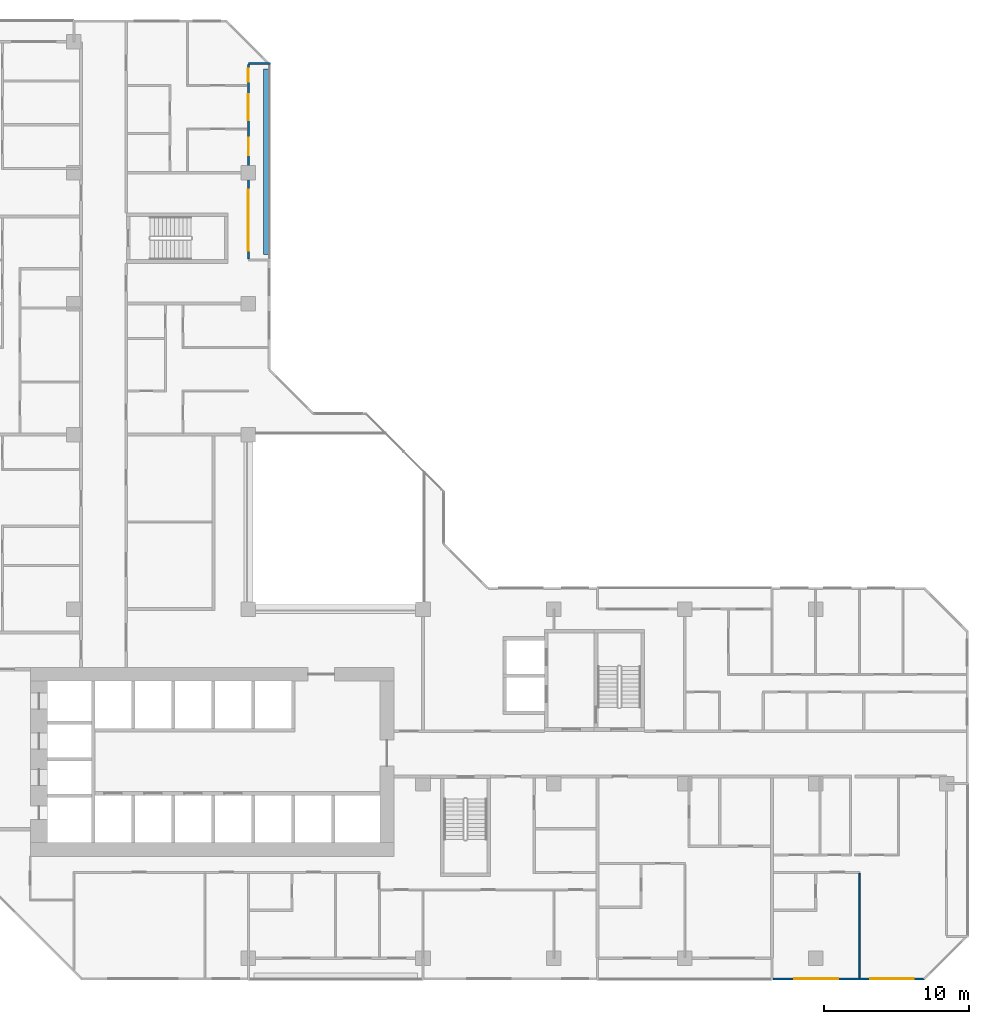
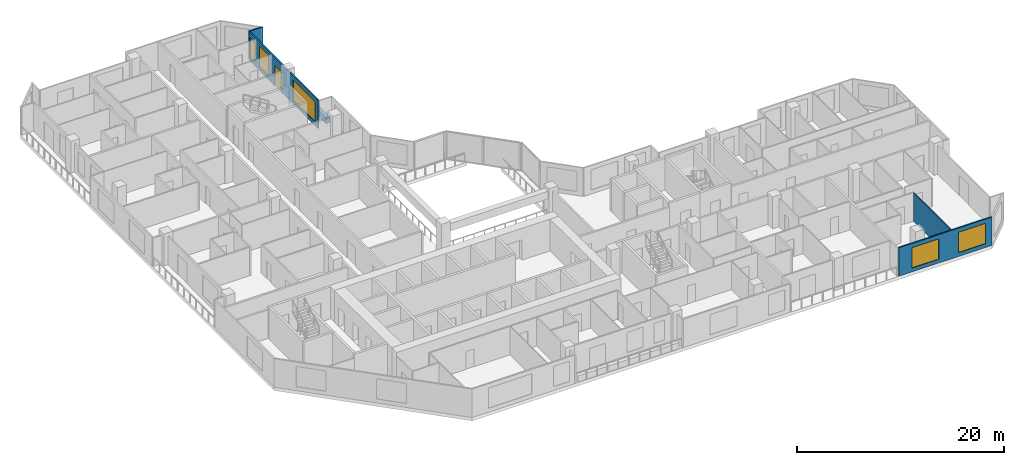
# One storey, part 11 of 15: 5 walls, 5 windows, 1 door, 6 openings.
"""IFC4 building model written with IfcOpenShell, lengths in metres."""

import ifcopenshell
import ifcopenshell.guid

model = None  # the IFC model being written
_history = None  # IfcOwnerHistory: only IFC2X3 demands one
_inside = {}  # id of a spatial element -> (the spatial element, [elements in it])
_under = {}  # id of a project, library or spatial element -> (it, [spatial elements below it])
_declared = {}  # id of a project -> (the project, [libraries it declares])
_typed = {}  # id of a type object -> (the type object, [elements of that type])
_made_of = {}  # id of a material, layer set ... -> (it, [elements and type objects made of it])


def new_model(schema):
    """Start an empty IFC model of exactly this schema.

    Asked for "IFC4X3", IfcOpenShell would pick the latest addendum, in which some entities
    have other attributes; the version numbers below select the first issue.
    IFC2X3 requires an IfcOwnerHistory on every rooted entity: one is made here for all.
    """
    global model, _history
    if schema == "IFC4X3":
        model = ifcopenshell.file(schema_version=(4, 3, 0, 0))
    else:
        model = ifcopenshell.file(schema=schema)
    _inside.clear()
    _under.clear()
    _declared.clear()
    _typed.clear()
    _made_of.clear()
    _history = None
    if model.schema == "IFC2X3":
        org = make("IfcOrganization", Name="unknown")
        user = make(
            "IfcPersonAndOrganization",
            ThePerson=make("IfcPerson", FamilyName="unknown"),
            TheOrganization=org,
        )
        app = make(
            "IfcApplication",
            ApplicationDeveloper=org,
            Version="unknown",
            ApplicationFullName="unknown",
            ApplicationIdentifier="unknown",
        )
        _history = make(
            "IfcOwnerHistory",
            OwningUser=user,
            OwningApplication=app,
            ChangeAction="ADDED",
            CreationDate=0,
        )
    return model


def make(cls, **values):
    """One entity of the class cls with the attributes given. An attribute that is None is left unset."""
    return model.create_entity(
        cls, **{name: value for name, value in values.items() if value is not None}
    )


def rooted(cls, **values):
    """An entity with a GlobalId (a new one), such as an element, a storey or a relation."""
    return make(cls, GlobalId=ifcopenshell.guid.new(), OwnerHistory=_history, **values)


def si_unit(unit_type, name, prefix=None):
    """IfcSIUnit, for example si_unit("LENGTHUNIT", "METRE", prefix="MILLI")."""
    return make("IfcSIUnit", UnitType=unit_type, Prefix=prefix, Name=name)


def assignment(units):
    """IfcUnitAssignment: the units of a project."""
    return None if units is None else make("IfcUnitAssignment", Units=units)


def point(xyz):
    """IfcCartesianPoint."""
    return None if xyz is None else make("IfcCartesianPoint", Coordinates=xyz)


def direction(xyz):
    """IfcDirection."""
    return None if xyz is None else make("IfcDirection", DirectionRatios=xyz)


def frame(location, z_axis=None, x_axis=None):
    """IfcAxis2Placement3D, a coordinate frame: its origin and axes. An axis left out is left unset."""
    return make(
        "IfcAxis2Placement3D",
        Location=point(location),
        Axis=direction(z_axis),
        RefDirection=direction(x_axis),
    )


def frame_2d(location, x_axis=None):
    """IfcAxis2Placement2D, a coordinate frame in the plane: its origin and x axis."""
    return make(
        "IfcAxis2Placement2D", Location=point(location), RefDirection=direction(x_axis)
    )


def origin():
    """The frame at (0, 0, 0) with its axes left unset."""
    return frame((0.0, 0.0, 0.0))


def place(relative_to, where):
    """IfcLocalPlacement: puts the frame where relative to a parent placement (None: the world)."""
    return make(
        "IfcLocalPlacement", PlacementRelTo=relative_to, RelativePlacement=where
    )


def context(
    kind, dimensions, precision=None, world=None, true_north=None, identifier=None
):
    """IfcGeometricRepresentationContext, for example the 3D "Model" context."""
    return make(
        "IfcGeometricRepresentationContext",
        ContextIdentifier=identifier,
        ContextType=kind,
        CoordinateSpaceDimension=dimensions,
        Precision=precision,
        WorldCoordinateSystem=world,
        TrueNorth=true_north,
    )


def subcontext(parent, identifier, kind, view, scale=None):
    """IfcGeometricRepresentationSubContext, for example "Body" below "Model"."""
    return make(
        "IfcGeometricRepresentationSubContext",
        ContextIdentifier=identifier,
        ContextType=kind,
        ParentContext=parent,
        TargetScale=scale,
        TargetView=view,
    )


def project(units=None, contexts=None):
    """IfcProject with its units and contexts."""
    return rooted(
        "IfcProject",
        Name="project",
        RepresentationContexts=contexts,
        UnitsInContext=assignment(units),
    )


def spatial(cls, under=None, at=None, **own):
    """A site, building, storey or space (cls), placed at a placement, below another one or the project."""
    s = rooted(cls, ObjectPlacement=at, **own)
    if under is not None:
        _under.setdefault(under.id(), (under, []))[1].append(s)
    return s


def profile(cls, at=None, kind="AREA", **sizes):
    """A parametric profile (cls). Its sizes go by their IFC names, for example OverallWidth=200.0."""
    return make(cls, ProfileType=kind, Position=at, **sizes)


def rectangle(**sizes):
    """IfcRectangleProfileDef."""
    return profile("IfcRectangleProfileDef", **sizes)


def extrude(swept, where, along, depth):
    """IfcExtrudedAreaSolid: the profile swept, set in the frame where, extruded along a direction by depth."""
    return make(
        "IfcExtrudedAreaSolid",
        SweptArea=swept,
        Position=where,
        ExtrudedDirection=direction(along),
        Depth=depth,
    )


def shape(context_of_items, identifier, shape_type, items):
    """IfcShapeRepresentation: the items that make up one representation, for example the "Body"."""
    return make(
        "IfcShapeRepresentation",
        ContextOfItems=context_of_items,
        RepresentationIdentifier=identifier,
        RepresentationType=shape_type,
        Items=items,
    )


def material(Name=None, Category=None):
    """IfcMaterial."""
    return make("IfcMaterial", Name=Name, Category=Category)


def layer(
    of_material, thickness, ventilated=None, Name=None, Category=None, Priority=None
):
    """IfcMaterialLayer: one layer of a wall or slab, of a material (None: an air gap)."""
    return make(
        "IfcMaterialLayer",
        Material=of_material,
        LayerThickness=thickness,
        IsVentilated=ventilated,
        Name=Name,
        Category=Category,
        Priority=Priority,
    )


def layer_set(layers, Name=None):
    """IfcMaterialLayerSet."""
    return make("IfcMaterialLayerSet", MaterialLayers=layers, LayerSetName=Name)


def made_of(thing, what):
    """Note that an element or type object is made of a material, layer set ...; save() writes the relation."""
    if what is not None:
        _made_of.setdefault(what.id(), (what, []))[1].append(thing)
    return thing


def type_object(cls, material=None, **own):
    """A type object (cls), such as IfcWallType, which elements share."""
    return made_of(rooted(cls, **own), material)


def element(
    cls,
    number,
    at=None,
    inside=None,
    cuts=None,
    type_object=None,
    material=None,
    context=None,
    identifier="Body",
    shape_type=None,
    held_by="IfcProductDefinitionShape",
    body=None,
    shapes=None,
    **own,
):
    """One element of the class cls, such as IfcWall. Its Tag is "e" and its number.

    at: its placement. inside: the storey or other place that contains it. cuts: it is an
    opening in that element (IfcRelVoidsElement). A single representation is given by context,
    identifier, shape_type and body (its items); several are given by shapes. held_by: the class
    of the entity that holds the representations. save() writes the other relations.
    """
    e = rooted(cls, Tag="e%d" % number, ObjectPlacement=at, **own)
    if body is not None:
        shapes = [shape(context, identifier, shape_type, body)]
    if shapes is not None:
        e.Representation = make(held_by, Representations=shapes)
    if inside is not None:
        _inside.setdefault(inside.id(), (inside, []))[1].append(e)
    if cuts is not None:
        rooted(
            "IfcRelVoidsElement", RelatingBuildingElement=cuts, RelatedOpeningElement=e
        )
    if type_object is not None:
        _typed.setdefault(type_object.id(), (type_object, []))[1].append(e)
    return made_of(e, material)


def fill(opening, filler):
    """IfcRelFillsElement: the door or window that sits in an opening."""
    return rooted(
        "IfcRelFillsElement",
        RelatingOpeningElement=opening,
        RelatedBuildingElement=filler,
    )


def aggregate(whole, parts):
    """IfcRelAggregates: a whole, such as a stair, and the parts it consists of."""
    return rooted("IfcRelAggregates", RelatingObject=whole, RelatedObjects=parts)


def save(model, path):
    """Write the relations noted so far, then the file.

    IfcRelAggregates (storeys below a building ...), IfcRelContainedInSpatialStructure (elements
    in a storey), IfcRelDefinesByType, IfcRelAssociatesMaterial and IfcRelDeclares: one each for
    every whole, place, type object, material and project.
    """
    for whole, parts in _under.values():
        aggregate(whole, parts)
    for where, things in _inside.values():
        rooted(
            "IfcRelContainedInSpatialStructure",
            RelatedElements=things,
            RelatingStructure=where,
        )
    for kind, things in _typed.values():
        rooted("IfcRelDefinesByType", RelatedObjects=things, RelatingType=kind)
    for what, things in _made_of.values():
        rooted("IfcRelAssociatesMaterial", RelatedObjects=things, RelatingMaterial=what)
    for by, libraries in _declared.values():
        rooted("IfcRelDeclares", RelatingContext=by, RelatedDefinitions=libraries)
    model.write(path)


model = new_model("IFC4")

# Units and contexts
model_context = context("Model", 3, precision=1e-05, world=origin(), true_north=direction((0.0, 1.0)))
body_context = subcontext(model_context, "Body", "Model", "MODEL_VIEW")
ifc_project = project(units=[si_unit("LENGTHUNIT", "METRE"), si_unit("AREAUNIT", "SQUARE_METRE"), si_unit("VOLUMEUNIT", "CUBIC_METRE"), si_unit("PLANEANGLEUNIT", "RADIAN"), si_unit("MASSUNIT", "GRAM", prefix="KILO")], contexts=[model_context])

# Site, building, storey
site_placement = place(None, origin())
site = spatial("IfcSite", under=ifc_project, at=site_placement, CompositionType="ELEMENT")
building_placement = place(site_placement, origin())
building = spatial("IfcBuilding", under=site, at=building_placement, Name="Chenar Terraces", CompositionType="ELEMENT")
storey_placement = place(building_placement, frame((0.0, 0.0, 95.64990234375)))
storey = spatial("IfcBuildingStorey", under=building, at=storey_placement, Name="L21", CompositionType="ELEMENT", Elevation=95.64990234375)

# Wall, openings, windows
ifc_material_1 = material(Name="Aluminium framed glazing", Category="aluminium")
ifc_layer_1 = layer(ifc_material_1, 0.14990234375)
ifc_layer_set_1 = layer_set([ifc_layer_1], Name="Aluminium framed glazing")
wall_type_1 = type_object("IfcWallType", Name="Glazed flush facade wall 150", PredefinedType="SOLIDWALL", material=ifc_layer_set_1)
wall_1_placement = place(storey_placement, frame((60.074951171875, -1.425048828125, 0.0), z_axis=(0.0, 0.0, 1.0), x_axis=(1.0, 0.0, 0.0)))
wall_1 = element("IfcWall", 1, at=wall_1_placement, inside=storey, type_object=wall_type_1, Name="Glazed flush facade wall", PredefinedType="SOLIDWALL", context=body_context, shape_type="SweptSolid", body=[
    extrude(rectangle(XDim=10.425048828125, YDim=0.14990234375, at=frame_2d((5.21240234375, 0.0))), origin(), (0.0, 0.0, 1.0), 3.35009765625),
])
opening_1_placement = place(wall_1_placement, frame((1.46240234375, 0.0, 0.449951171875)))
opening_1 = element("IfcOpeningElement", 2, at=opening_1_placement, cuts=wall_1, Name="Opening W300x240", PredefinedType="OPENING", context=body_context, shape_type="SweptSolid", body=[
    extrude(rectangle(XDim=3.0, YDim=2.39990234375, at=frame_2d((1.5, 1.199951171875))), frame((0.0, 0.0849609375, 0.0), z_axis=(0.0, -1.0, 0.0), x_axis=(1.0, 0.0, 0.0)), (0.0, 0.0, 1.0), 0.169921875),
])
opening_2_placement = place(wall_1_placement, frame((6.675048828125, 0.0, 0.449951171875)))
opening_2 = element("IfcOpeningElement", 3, at=opening_2_placement, cuts=wall_1, Name="Opening W300x240", PredefinedType="OPENING", context=body_context, shape_type="SweptSolid", body=[
    extrude(rectangle(XDim=3.0, YDim=2.39990234375, at=frame_2d((1.5, 1.199951171875))), frame((0.0, 0.0849609375, 0.0), z_axis=(0.0, -1.0, 0.0), x_axis=(1.0, 0.0, 0.0)), (0.0, 0.0, 1.0), 0.169921875),
])
ifc_material_2 = material(Name="Low emissivity double glazing, aluminium frame", Category="aluminium")
window_type_1 = type_object("IfcWindowType", Name="Fixed light 3000 x 2400", PartitioningType="SINGLE_PANEL", PredefinedType="WINDOW", material=ifc_material_2)
window_1_placement = place(opening_1_placement, origin())
window_1 = element("IfcWindow", 4, at=window_1_placement, inside=storey, type_object=window_type_1, Name="Window", OverallHeight=2.39990234375, OverallWidth=3.0, PartitioningType="SINGLE_PANEL", PredefinedType="WINDOW", context=body_context, shape_type="SweptSolid", body=[
    extrude(rectangle(XDim=3.0, YDim=2.39990234375, at=frame_2d((1.5, 1.199951171875))), frame((0.0, 0.030029296875, 0.0), z_axis=(0.0, -1.0, 0.0), x_axis=(1.0, 0.0, 0.0)), (0.0, 0.0, 1.0), 0.06005859375),
])
fill(opening_1, window_1)
window_2_placement = place(opening_2_placement, origin())
window_2 = element("IfcWindow", 5, at=window_2_placement, inside=storey, type_object=window_type_1, Name="Window", OverallHeight=2.39990234375, OverallWidth=3.0, PartitioningType="SINGLE_PANEL", PredefinedType="WINDOW", context=body_context, shape_type="SweptSolid", body=[
    extrude(rectangle(XDim=3.0, YDim=2.39990234375, at=frame_2d((1.5, 1.199951171875))), frame((0.0, 0.030029296875, 0.0), z_axis=(0.0, -1.0, 0.0), x_axis=(1.0, 0.0, 0.0)), (0.0, 0.0, 1.0), 0.06005859375),
])
fill(opening_2, window_2)

# Wall, openings, windows, door
ifc_material_3 = material(Name="Aluminium framed glazing", Category="aluminium")
ifc_layer_2 = layer(ifc_material_3, 0.14990234375)
ifc_layer_set_2 = layer_set([ifc_layer_2], Name="Aluminium framed glazing")
wall_type_2 = type_object("IfcWallType", Name="Glazed loggia back wall 150", PredefinedType="SOLIDWALL", material=ifc_layer_set_2)
wall_2_placement = place(storey_placement, frame((24.0, 48.074951171875, 0.0), z_axis=(0.0, 0.0, 1.0), x_axis=(0.0, 1.0, 0.0)))
wall_2 = element("IfcWall", 6, at=wall_2_placement, inside=storey, type_object=wall_type_2, Name="Glazed loggia back wall", PredefinedType="SOLIDWALL", context=body_context, shape_type="SweptSolid", body=[
    extrude(rectangle(XDim=13.35009765625, YDim=0.14990234375, at=frame_2d((6.675048828125, 0.0))), origin(), (0.0, 0.0, 1.0), 3.35009765625),
])
opening_3_placement = place(wall_2_placement, frame((0.5625, 0.0, 0.449951171875)))
opening_3 = element("IfcOpeningElement", 7, at=opening_3_placement, cuts=wall_2, Name="Opening W420x240", PredefinedType="OPENING", context=body_context, shape_type="SweptSolid", body=[
    extrude(rectangle(XDim=4.199951171875, YDim=2.39990234375, at=frame_2d((2.10009765625, 1.199951171875))), frame((0.0, 0.0849609375, 0.0), z_axis=(0.0, -1.0, 0.0), x_axis=(1.0, 0.0, 0.0)), (0.0, 0.0, 1.0), 0.169921875),
])
opening_4_placement = place(wall_2_placement, frame((7.125, 0.0, 0.0)))
opening_4 = element("IfcOpeningElement", 8, at=opening_4_placement, cuts=wall_2, Name="Opening DL21-G2", PredefinedType="OPENING", context=body_context, shape_type="SweptSolid", body=[
    extrude(rectangle(XDim=1.199951171875, YDim=2.39990234375, at=frame_2d((0.60009765625, 1.199951171875))), frame((0.0, 0.0849609375, 0.0), z_axis=(0.0, -1.0, 0.0), x_axis=(1.0, 0.0, 0.0)), (0.0, 0.0, 1.0), 0.169921875),
])
opening_5_placement = place(wall_2_placement, frame((9.52490234375, 0.0, 0.449951171875)))
opening_5 = element("IfcOpeningElement", 9, at=opening_5_placement, cuts=wall_2, Name="Opening W180x240", PredefinedType="OPENING", context=body_context, shape_type="SweptSolid", body=[
    extrude(rectangle(XDim=1.800048828125, YDim=2.39990234375, at=frame_2d((0.89990234375, 1.199951171875))), frame((0.0, 0.0849609375, 0.0), z_axis=(0.0, -1.0, 0.0), x_axis=(1.0, 0.0, 0.0)), (0.0, 0.0, 1.0), 0.169921875),
])
opening_6_placement = place(wall_2_placement, frame((12.1875, 0.0, 0.449951171875)))
opening_6 = element("IfcOpeningElement", 10, at=opening_6_placement, cuts=wall_2, Name="Opening W90x240", PredefinedType="OPENING", context=body_context, shape_type="SweptSolid", body=[
    extrude(rectangle(XDim=0.89990234375, YDim=2.39990234375, at=frame_2d((0.449951171875, 1.199951171875))), frame((0.0, 0.0849609375, 0.0), z_axis=(0.0, -1.0, 0.0), x_axis=(1.0, 0.0, 0.0)), (0.0, 0.0, 1.0), 0.169921875),
])
ifc_material_4 = material(Name="Low emissivity double glazing, aluminium frame", Category="aluminium")
window_type_2 = type_object("IfcWindowType", Name="Fixed light 1800 x 2400", PartitioningType="SINGLE_PANEL", PredefinedType="WINDOW", material=ifc_material_4)
window_3_placement = place(opening_5_placement, origin())
window_3 = element("IfcWindow", 11, at=window_3_placement, inside=storey, type_object=window_type_2, Name="Window", OverallHeight=2.39990234375, OverallWidth=1.800048828125, PartitioningType="SINGLE_PANEL", PredefinedType="WINDOW", context=body_context, shape_type="SweptSolid", body=[
    extrude(rectangle(XDim=1.800048828125, YDim=2.39990234375, at=frame_2d((0.89990234375, 1.199951171875))), frame((0.0, 0.030029296875, 0.0), z_axis=(0.0, -1.0, 0.0), x_axis=(1.0, 0.0, 0.0)), (0.0, 0.0, 1.0), 0.06005859375),
])
fill(opening_5, window_3)
ifc_material_5 = material(Name="Low emissivity double glazing, aluminium frame", Category="aluminium")
window_type_3 = type_object("IfcWindowType", Name="Fixed light 4200 x 2400", PartitioningType="SINGLE_PANEL", PredefinedType="WINDOW", material=ifc_material_5)
window_4_placement = place(opening_3_placement, origin())
window_4 = element("IfcWindow", 12, at=window_4_placement, inside=storey, type_object=window_type_3, Name="Window", OverallHeight=2.39990234375, OverallWidth=4.199951171875, PartitioningType="SINGLE_PANEL", PredefinedType="WINDOW", context=body_context, shape_type="SweptSolid", body=[
    extrude(rectangle(XDim=4.199951171875, YDim=2.39990234375, at=frame_2d((2.10009765625, 1.199951171875))), frame((0.0, 0.030029296875, 0.0), z_axis=(0.0, -1.0, 0.0), x_axis=(1.0, 0.0, 0.0)), (0.0, 0.0, 1.0), 0.06005859375),
])
fill(opening_3, window_4)
ifc_material_6 = material(Name="Low emissivity double glazing, aluminium frame", Category="aluminium")
window_type_4 = type_object("IfcWindowType", Name="Fixed light 900 x 2400", PartitioningType="SINGLE_PANEL", PredefinedType="WINDOW", material=ifc_material_6)
window_5_placement = place(opening_6_placement, origin())
window_5 = element("IfcWindow", 13, at=window_5_placement, inside=storey, type_object=window_type_4, Name="Window", OverallHeight=2.39990234375, OverallWidth=0.89990234375, PartitioningType="SINGLE_PANEL", PredefinedType="WINDOW", context=body_context, shape_type="SweptSolid", body=[
    extrude(rectangle(XDim=0.89990234375, YDim=2.39990234375, at=frame_2d((0.449951171875, 1.199951171875))), frame((0.0, 0.030029296875, 0.0), z_axis=(0.0, -1.0, 0.0), x_axis=(1.0, 0.0, 0.0)), (0.0, 0.0, 1.0), 0.06005859375),
])
fill(opening_6, window_5)
ifc_material_7 = material(Name="Low emissivity double glazing, aluminium frame", Category="aluminium")
door_type = type_object("IfcDoorType", Name="Loggia glazed double door 1200 x 2400", OperationType="DOUBLE_DOOR_SINGLE_SWING", PredefinedType="DOOR", material=ifc_material_7)
door_placement = place(opening_4_placement, frame((1.199951171875, 0.0, 0.0), z_axis=(0.0, 0.0, 1.0), x_axis=(-1.0, 0.0, 0.0)))
door = element("IfcDoor", 14, at=door_placement, inside=storey, type_object=door_type, Name="Loggia glazed door", OperationType="DOUBLE_DOOR_SINGLE_SWING", OverallHeight=2.39990234375, OverallWidth=1.199951171875, PredefinedType="DOOR", context=body_context, shape_type="SweptSolid", body=[
    extrude(rectangle(XDim=1.199951171875, YDim=2.39990234375, at=frame_2d((0.60009765625, 1.199951171875))), frame((0.0, 0.02490234375, 0.0), z_axis=(0.0, -1.0, 0.0), x_axis=(1.0, 0.0, 0.0)), (0.0, 0.0, 1.0), 0.050048828125),
])
fill(opening_4, door)

# Walls
ifc_material_8 = material(Name="Gypsum board on steel studs", Category="steel")
ifc_layer_3 = layer(ifc_material_8, 0.10009765625)
ifc_layer_set_3 = layer_set([ifc_layer_3], Name="Gypsum board on steel studs")
wall_type_3 = type_object("IfcWallType", Name="Gypsum partition 100", PredefinedType="PARTITIONING", material=ifc_layer_set_3)
wall_3_placement = place(storey_placement, frame((66.0, -1.35009765625, 0.0), z_axis=(0.0, 0.0, 1.0), x_axis=(0.0, 1.0, 0.0)))
element("IfcWall", 15, at=wall_3_placement, inside=storey, type_object=wall_type_3, Name="Partition L21-105", PredefinedType="PARTITIONING", context=body_context, shape_type="SweptSolid", body=[
    extrude(rectangle(XDim=7.175048828125, YDim=0.10009765625, at=frame_2d((3.58740234375, 0.0))), origin(), (0.0, 0.0, 1.0), 3.35009765625),
])
ifc_material_9 = material(Name="Terracotta cladding on insulated backing", Category="masonry")
ifc_layer_4 = layer(ifc_material_9, 0.14990234375)
ifc_layer_set_4 = layer_set([ifc_layer_4], Name="Terracotta cladding on insulated backing")
wall_type_4 = type_object("IfcWallType", Name="Loggia return wall 150", PredefinedType="SOLIDWALL", material=ifc_layer_set_4)
wall_4_placement = place(storey_placement, frame((25.5, 61.5, 0.0), z_axis=(0.0, 0.0, 1.0), x_axis=(-1.0, 0.0, 0.0)))
element("IfcWall", 16, at=wall_4_placement, inside=storey, type_object=wall_type_4, Name="Loggia return wall", PredefinedType="SOLIDWALL", context=body_context, shape_type="SweptSolid", body=[
    extrude(rectangle(XDim=1.5, YDim=0.14990234375, at=frame_2d((0.75, 0.0))), origin(), (0.0, 0.0, 1.0), 3.35009765625),
])
ifc_material_10 = material(Name="GRP planter trough")
ifc_layer_5 = layer(ifc_material_10, 0.39990234375)
ifc_layer_set_5 = layer_set([ifc_layer_5], Name="GRP planter trough")
wall_type_5 = type_object("IfcWallType", Name="Vertical greenery planter 400", PredefinedType="SOLIDWALL", material=ifc_layer_set_5)
wall_5_placement = place(storey_placement, frame((25.22900390625, 48.375, 0.0), z_axis=(0.0, 0.0, 1.0), x_axis=(0.0, 1.0, 0.0)))
element("IfcWall", 17, at=wall_5_placement, inside=storey, type_object=wall_type_5, Name="Vertical greenery planter", PredefinedType="SOLIDWALL", context=body_context, shape_type="SweptSolid", body=[
    extrude(rectangle(XDim=12.75, YDim=0.39990234375, at=frame_2d((6.375, 0.0))), origin(), (0.0, 0.0, 1.0), 0.7001953125),
])

save(model, "model.ifc")
